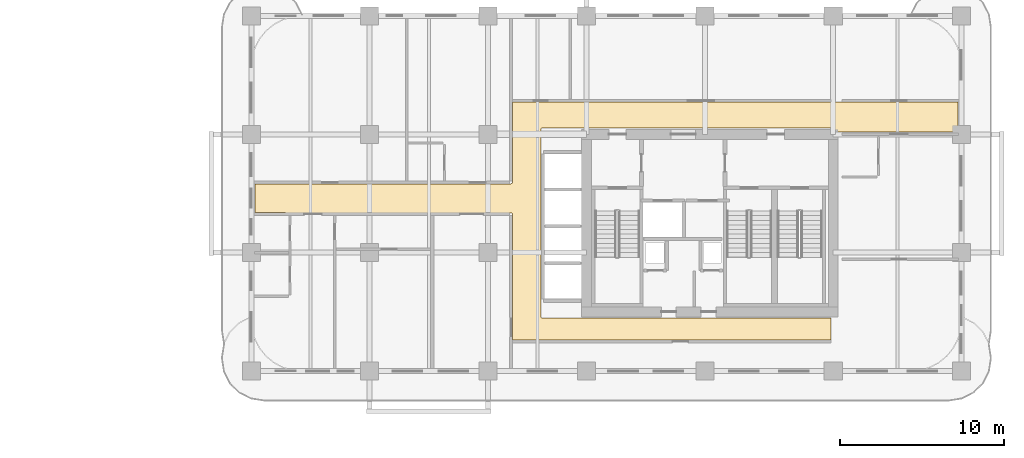
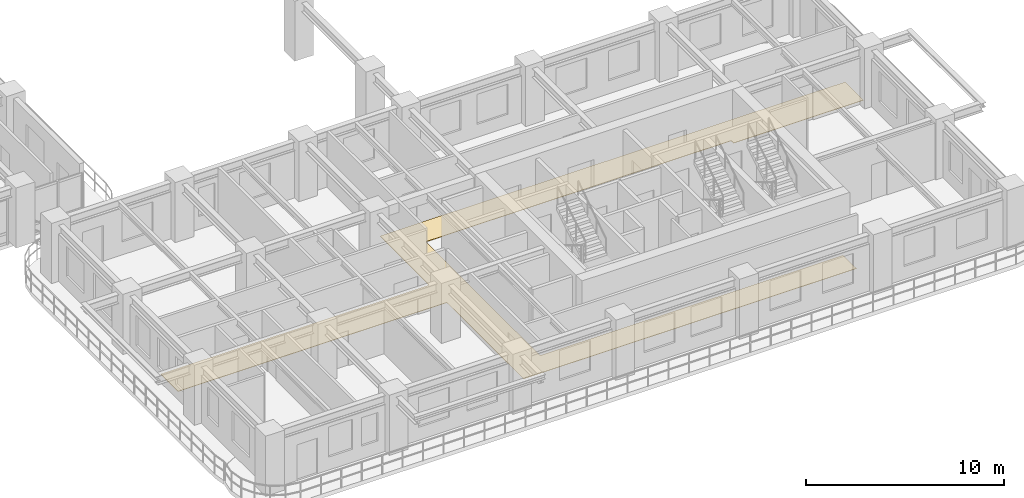
# One storey, part 15 of 18: 1 covering.
"""IFC4 building model written with IfcOpenShell, lengths in metres."""

from ifc_helpers import new_model, si_unit, derived_unit, direction, frame, origin, place, context, subcontext, project, spatial, polyline, outline, extrude, material, layer, layer_set, type_object, element, save


model = new_model("IFC4")

# Units and contexts
model_context = context("Model", 3, precision=1e-05, world=origin(), true_north=direction((0.0, 1.0)))
body_context = subcontext(model_context, "Body", "Model", "MODEL_VIEW")
ifc_project = project(units=[si_unit("LENGTHUNIT", "METRE"), si_unit("AREAUNIT", "SQUARE_METRE"), si_unit("VOLUMEUNIT", "CUBIC_METRE"), si_unit("PLANEANGLEUNIT", "RADIAN"), si_unit("MASSUNIT", "GRAM", prefix="KILO"), si_unit("THERMODYNAMICTEMPERATUREUNIT", "KELVIN"), si_unit("POWERUNIT", "WATT"), derived_unit("THERMALTRANSMITTANCEUNIT", [(si_unit("POWERUNIT", "WATT"), 1), (si_unit("AREAUNIT", "SQUARE_METRE"), -1), (si_unit("THERMODYNAMICTEMPERATUREUNIT", "KELVIN"), -1)])], contexts=[model_context])

# Site, building, storey
site_placement = place(None, origin())
site = spatial("IfcSite", under=ifc_project, at=site_placement, CompositionType="ELEMENT")
building_placement = place(site_placement, origin())
building = spatial("IfcBuilding", under=site, at=building_placement, Name="Zahravan Archway Hotel and Residences", CompositionType="ELEMENT")
storey_placement = place(building_placement, frame((0.0, 0.0, 58.300048828125)))
storey = spatial("IfcBuildingStorey", under=building, at=storey_placement, Name="L13", CompositionType="ELEMENT", Elevation=58.300048828125)

# Covering
ifc_material = material(Name="Engineered Walnut Parquet Flooring")
ifc_layer = layer(ifc_material, 0.02197265625, Name="Engineered Walnut Parquet Flooring")
ifc_layer_set = layer_set([ifc_layer], Name="Engineered Walnut Parquet Flooring")
covering_type = type_object("IfcCoveringType", Name="COV-FLR-TIMB", PredefinedType="FLOORING", material=ifc_layer_set)
covering_placement = place(storey_placement, origin())
element("IfcCovering", 1, at=covering_placement, inside=storey, type_object=covering_type, Name="L13 Circulation Floor Finish", PredefinedType="FLOORING", context=body_context, shape_type="SweptSolid", body=[
    extrude(outline(polyline([(57.3798828125, 14.530029296875), (49.830078125, 14.530029296875), (49.830078125, 14.699951171875), (49.81640625, 14.744384765625), (49.780517578125, 14.77392578125), (32.10009765625, 14.780029296875), (32.0556640625, 14.7666015625), (32.026123046875, 14.730712890625), (32.02001953125, 3.300048828125), (32.033447265625, 3.255615234375), (32.0693359375, 3.22607421875), (49.669921875, 3.219970703125), (49.669921875, 1.8798828125), (30.280029296875, 1.8798828125), (30.280029296875, 9.550048828125), (30.2666015625, 9.594482421875), (30.230712890625, 9.623779296875), (14.6201171875, 9.6298828125), (14.6201171875, 11.389892578125), (30.199951171875, 11.389892578125), (30.244384765625, 11.403564453125), (30.27392578125, 11.439453125), (30.280029296875, 16.3701171875), (57.3798828125, 16.3701171875), (57.3798828125, 14.530029296875)])), origin(), (0.0, 0.0, 1.0), 0.02197265625),
])

save(model, "model.ifc")
